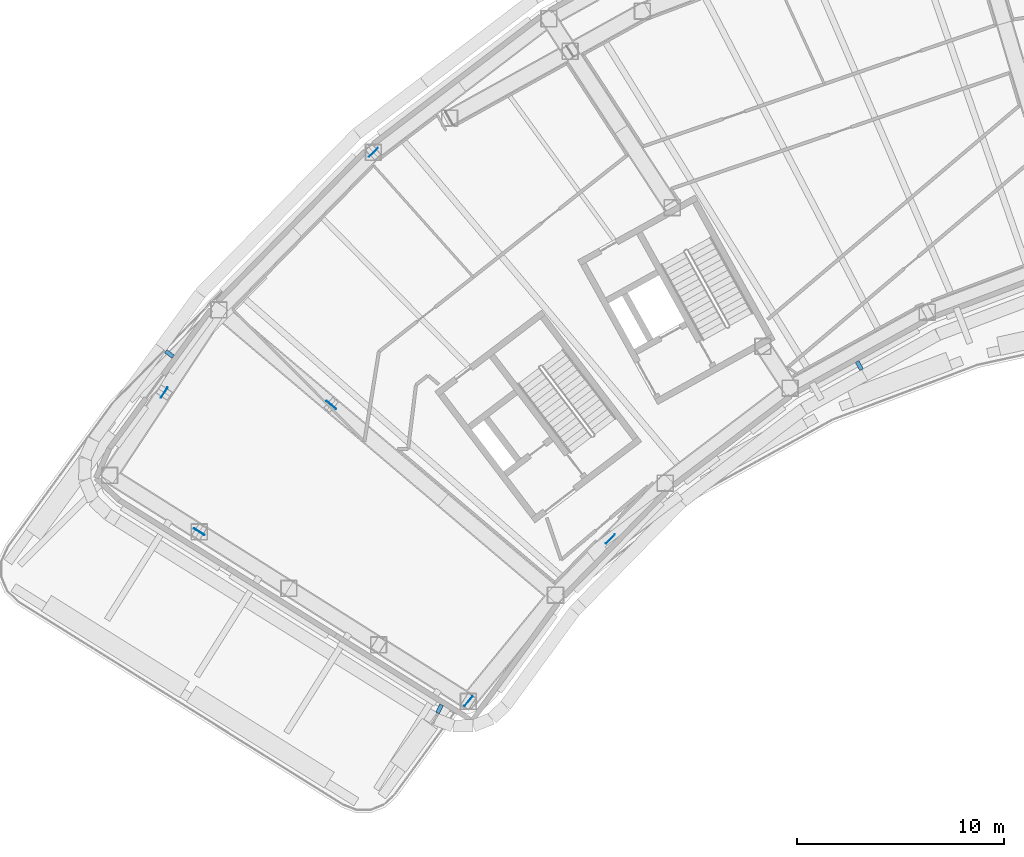
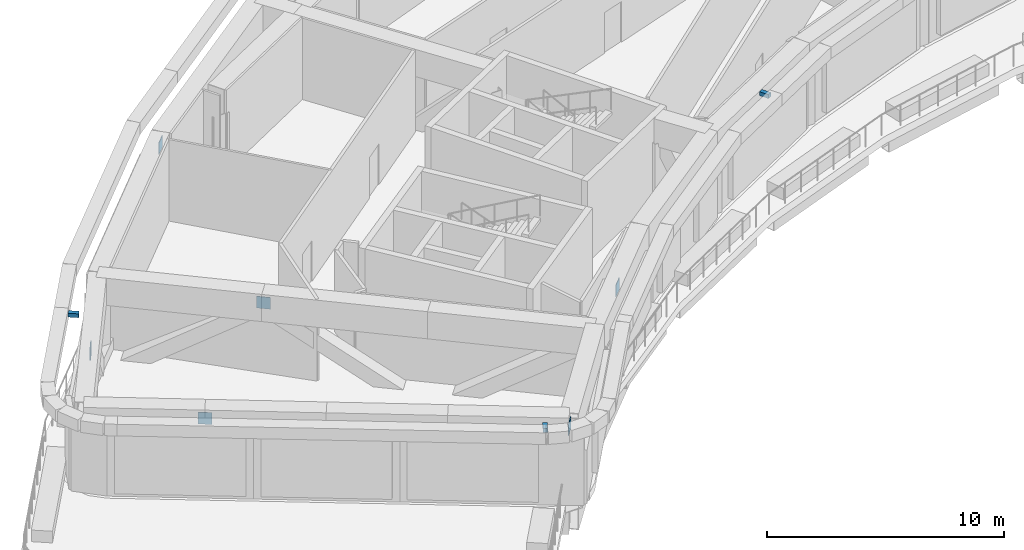
# One storey, part 15 of 25: 9 discrete accessories.
"""IFC4 building model written with IfcOpenShell, lengths in metres."""

from ifc_helpers import new_model, si_unit, direction, frame, origin, origin_2d, place, context, subcontext, project, spatial, rectangle, extrude, material, type_object, element, save


model = new_model("IFC4")

# Units and contexts
model_context = context("Model", 3, precision=1e-05, world=origin(), true_north=direction((0.0, 1.0)))
body_context = subcontext(model_context, "Body", "Model", "MODEL_VIEW")
ifc_project = project(units=[si_unit("LENGTHUNIT", "METRE"), si_unit("AREAUNIT", "SQUARE_METRE"), si_unit("VOLUMEUNIT", "CUBIC_METRE"), si_unit("PLANEANGLEUNIT", "RADIAN"), si_unit("MASSUNIT", "GRAM", prefix="KILO")], contexts=[model_context])

# Site, building, storey
site_placement = place(None, origin())
site = spatial("IfcSite", under=ifc_project, at=site_placement, CompositionType="ELEMENT")
building_placement = place(site_placement, origin())
building = spatial("IfcBuilding", under=site, at=building_placement, Name="Tuul Gate Civic Tower", CompositionType="ELEMENT")
storey_placement = place(building_placement, frame((0.0, 0.0, 60.89990234375)))
storey = spatial("IfcBuildingStorey", under=building, at=storey_placement, Name="Plant and refuge floor 2", CompositionType="ELEMENT", Elevation=60.89990234375)

# Discrete accessories
ifc_material_1 = material(Name="Steel S355", Category="steel")
discrete_accessory_type_1 = type_object("IfcDiscreteAccessoryType", Name="Gusset plate", PredefinedType="BRACKET", material=ifc_material_1)
for number, where, z_axis, x_axis, name in (
    (1, (-46.1337890625, -12.011962890625, 3.202880859375), (0.0, 0.0, 1.0), (-0.76282474496, 0.646605295738, 0.0), "Gusset plate"),
    (2, (-44.089111328125, 0.21630859375, 3.203369140625), (0.0, 0.0, 1.0), (-0.700047997827, -0.71409579241, 0.0), "Gusset plate"),
    (3, (-54.21337890625, -11.4150390625, 3.20361328125), (0.0, 0.0, 1.0), (0.551645433906, 0.834078722454, 0.0), "Gusset plate"),
    (4, (-32.615478515625, -18.507080078125, 3.203857421875), (0.0, 0.0, 1.0), (0.700025276835, 0.714118065723, 0.0), "Gusset plate"),
    (5, (-39.49267578125, -26.362548828125, 3.203125), (0.0, 0.0, 1.0), (0.634399544235, 0.773005315813, 0.0), "Gusset plate"),
    (6, (-52.52001953125, -18.156005859375, 3.203369140625), (0.0, 0.0, 1.0), (-0.846187288195, 0.532885609956, 0.0), "Gusset plate"),
):
    element("IfcDiscreteAccessory", number, at=place(storey_placement, frame(where, z_axis=z_axis, x_axis=x_axis)), inside=storey, type_object=discrete_accessory_type_1, Name=name, PredefinedType="BRACKET", context=body_context, shape_type="SweptSolid", body=[
        extrude(rectangle(XDim=0.60009765625, YDim=0.030029296875, at=origin_2d()), origin(), (0.0, 0.0, 1.0), 0.60009765625),
    ])
ifc_material_2 = material(Name="Stainless steel", Category="steel")
discrete_accessory_type_2 = type_object("IfcDiscreteAccessoryType", Name="Screen bracket", PredefinedType="BRACKET", material=ifc_material_2)
discrete_accessory_1_placement = place(storey_placement, frame((-53.959716796875, -9.545166015625, 4.05029296875), z_axis=(0.0, 0.0, 1.0), x_axis=(-0.803018267123, 0.595954413246, 0.0)))
element("IfcDiscreteAccessory", 7, at=discrete_accessory_1_placement, inside=storey, type_object=discrete_accessory_type_2, Name="Screen bracket 16", PredefinedType="BRACKET", context=body_context, shape_type="SweptSolid", body=[
    extrude(rectangle(XDim=0.449951171875, YDim=0.199951171875, at=origin_2d()), origin(), (0.0, 0.0, 1.0), 0.199951171875),
])
discrete_accessory_2_placement = place(storey_placement, frame((-40.884521484375, -26.727783203125, 4.05029296875), z_axis=(0.0, 0.0, 1.0), x_axis=(-0.448849609242, -0.893607312125, 0.0)))
element("IfcDiscreteAccessory", 8, at=discrete_accessory_2_placement, inside=storey, type_object=discrete_accessory_type_2, Name="Screen bracket 19", PredefinedType="BRACKET", context=body_context, shape_type="SweptSolid", body=[
    extrude(rectangle(XDim=0.451904296875, YDim=0.199951171875, at=origin_2d()), origin(), (0.0, 0.0, 1.0), 0.199951171875),
])
discrete_accessory_3_placement = place(storey_placement, frame((-20.5634765625, -10.109130859375, 4.05029296875), z_axis=(0.0, 0.0, 1.0), x_axis=(0.490458166846, -0.871464736277, 0.0)))
element("IfcDiscreteAccessory", 9, at=discrete_accessory_3_placement, inside=storey, type_object=discrete_accessory_type_2, Name="Screen bracket 22", PredefinedType="BRACKET", context=body_context, shape_type="SweptSolid", body=[
    extrude(rectangle(XDim=0.449951171875, YDim=0.199951171875, at=origin_2d()), origin(), (0.0, 0.0, 1.0), 0.199951171875),
])

save(model, "model.ifc")
